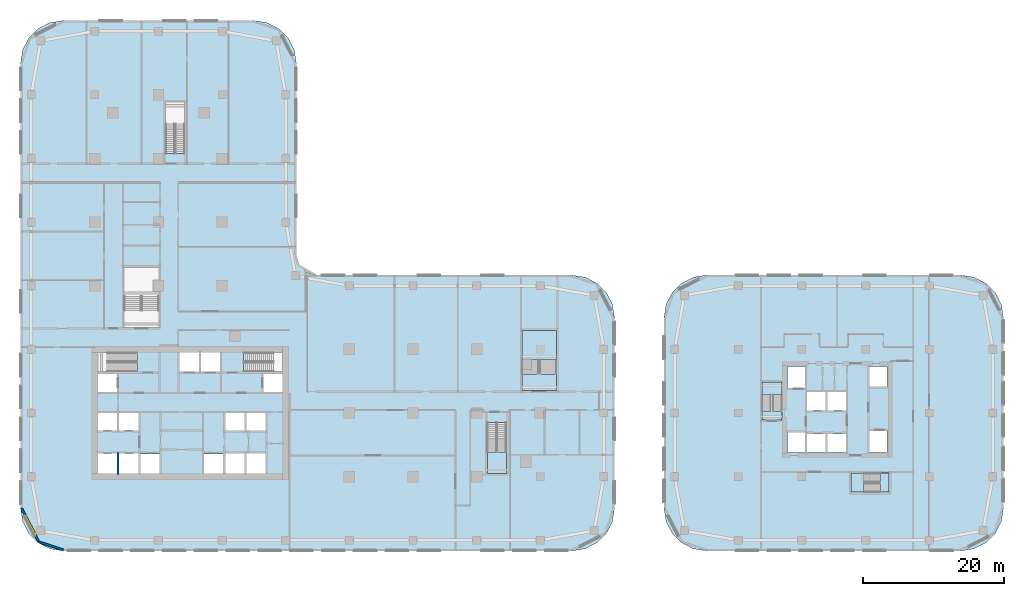
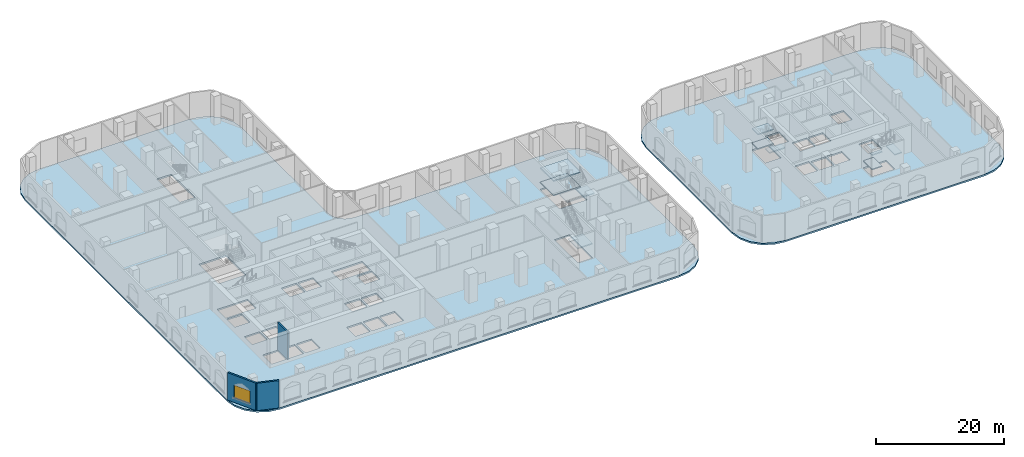
# One storey, part 2 of 31: 12 slabs, 3 walls, 1 window, 1 opening, 4 elements without a shape of their own.
"""IFC4 building model written with IfcOpenShell, lengths in metres."""

from ifc_helpers import new_model, si_unit, direction, frame, frame_2d, origin, place, context, subcontext, project, spatial, polyline, rectangle, outline, extrude, material, layer, layer_set, type_object, element, fill, aggregate, save


model = new_model("IFC4")

# Units and contexts
model_context = context("Model", 3, precision=1e-05, world=origin(), true_north=direction((0.0, 1.0)))
body_context = subcontext(model_context, "Body", "Model", "MODEL_VIEW")
ifc_project = project(units=[si_unit("LENGTHUNIT", "METRE"), si_unit("AREAUNIT", "SQUARE_METRE"), si_unit("VOLUMEUNIT", "CUBIC_METRE"), si_unit("PLANEANGLEUNIT", "RADIAN"), si_unit("MASSUNIT", "GRAM", prefix="KILO")], contexts=[model_context])

# Site, building, storey
site_placement = place(None, origin())
site = spatial("IfcSite", under=ifc_project, at=site_placement, CompositionType="ELEMENT")
building_placement = place(site_placement, origin())
building = spatial("IfcBuilding", under=site, at=building_placement, Name="Ogive Portal Towers", CompositionType="ELEMENT")
storey_placement = place(building_placement, frame((0.0, 0.0, 8.0)))
storey = spatial("IfcBuildingStorey", under=building, at=storey_placement, Name="L01", CompositionType="ELEMENT", Elevation=8.0)

# Stair, slab
ifc_material_1 = material(Name="Concrete C40/50", Category="concrete")
stair_type = type_object("IfcStairType", Name="INT-STAIR", PredefinedType="HALF_TURN_STAIR", material=ifc_material_1)
stair_1_placement = place(storey_placement, origin())
stair_1 = element("IfcStair", 1, at=stair_1_placement, inside=storey, type_object=stair_type, Name="L01 Exit Stair ST-A4", PredefinedType="HALF_TURN_STAIR")
ifc_layer_1 = layer(ifc_material_1, 0.199951171875)
ifc_layer_set_1 = layer_set([ifc_layer_1], Name="INT-LANDING")
slab_type_1 = type_object("IfcSlabType", Name="INT-LANDING", PredefinedType="LANDING", material=ifc_layer_set_1)
slab_1_placement = place(storey_placement, frame((0.0, 0.0, 2.550048828125)))
slab_1 = element("IfcSlab", 2, at=slab_1_placement, type_object=slab_type_1, Name="ST-A4 landing 1", PredefinedType="LANDING", context=body_context, shape_type="SweptSolid", body=[
    extrude(outline(polyline([(87.0, 24.969970703125), (87.0, 21.949951171875), (89.699951171875, 21.949951171875), (89.699951171875, 24.969970703125), (87.0, 24.969970703125)])), origin(), (0.0, 0.0, 1.0), 0.199951171875),
])
aggregate(stair_1, [slab_1])

# Stair, slabs
stair_2_placement = place(storey_placement, origin())
stair_2 = element("IfcStair", 3, at=stair_2_placement, inside=storey, type_object=stair_type, Name="L01 Exit Stair ST-B1", PredefinedType="HALF_TURN_STAIR")
slab_2_placement = place(storey_placement, frame((0.0, 0.0, 1.175048828125)))
slab_2 = element("IfcSlab", 4, at=slab_2_placement, type_object=slab_type_1, Name="ST-B1 landing 1", PredefinedType="LANDING", context=body_context, shape_type="SweptSolid", body=[
    extrude(outline(polyline([(128.699951171875, 33.0400390625), (128.699951171875, 34.89990234375), (125.85009765625, 34.89990234375), (125.85009765625, 33.0400390625), (128.699951171875, 33.0400390625)])), origin(), (0.0, 0.0, 1.0), 0.199951171875),
])
slab_3_placement = place(storey_placement, frame((0.0, 0.0, 2.550048828125)))
slab_3 = element("IfcSlab", 5, at=slab_3_placement, type_object=slab_type_1, Name="ST-B1 landing 2", PredefinedType="LANDING", context=body_context, shape_type="SweptSolid", body=[
    extrude(outline(polyline([(128.699951171875, 29.5), (128.699951171875, 30.800048828125), (125.85009765625, 30.800048828125), (125.85009765625, 29.5), (128.699951171875, 29.5)])), origin(), (0.0, 0.0, 1.0), 0.199951171875),
])
slab_4_placement = place(storey_placement, frame((0.0, 0.0, 3.925048828125)))
slab_4 = element("IfcSlab", 6, at=slab_4_placement, type_object=slab_type_1, Name="ST-B1 landing 3", PredefinedType="LANDING", context=body_context, shape_type="SweptSolid", body=[
    extrude(outline(polyline([(128.699951171875, 33.0400390625), (128.699951171875, 34.89990234375), (125.85009765625, 34.89990234375), (125.85009765625, 33.0400390625), (128.699951171875, 33.0400390625)])), origin(), (0.0, 0.0, 1.0), 0.199951171875),
])
aggregate(stair_2, [slab_2, slab_3, slab_4])

stair_3_placement = place(storey_placement, origin())
stair_3 = element("IfcStair", 7, at=stair_3_placement, inside=storey, type_object=stair_type, Name="L01 Exit Stair ST-B2", PredefinedType="HALF_TURN_STAIR")
slab_5_placement = place(storey_placement, frame((0.0, 0.0, 1.175048828125)))
slab_5 = element("IfcSlab", 8, at=slab_5_placement, type_object=slab_type_1, Name="ST-B2 landing 1", PredefinedType="LANDING", context=body_context, shape_type="SweptSolid", body=[
    extrude(outline(polyline([(140.31005859375, 22.0), (138.449951171875, 22.0), (138.449951171875, 19.300048828125), (140.31005859375, 19.300048828125), (140.31005859375, 22.0)])), origin(), (0.0, 0.0, 1.0), 0.199951171875),
])
slab_6_placement = place(storey_placement, frame((0.0, 0.0, 2.550048828125)))
slab_6 = element("IfcSlab", 9, at=slab_6_placement, type_object=slab_type_1, Name="ST-B2 landing 2", PredefinedType="LANDING", context=body_context, shape_type="SweptSolid", body=[
    extrude(outline(polyline([(143.85009765625, 22.0), (142.550048828125, 22.0), (142.550048828125, 19.300048828125), (143.85009765625, 19.300048828125), (143.85009765625, 22.0)])), origin(), (0.0, 0.0, 1.0), 0.199951171875),
])
slab_7_placement = place(storey_placement, frame((0.0, 0.0, 3.925048828125)))
slab_7 = element("IfcSlab", 10, at=slab_7_placement, type_object=slab_type_1, Name="ST-B2 landing 3", PredefinedType="LANDING", context=body_context, shape_type="SweptSolid", body=[
    extrude(outline(polyline([(140.31005859375, 22.0), (138.449951171875, 22.0), (138.449951171875, 19.300048828125), (140.31005859375, 19.300048828125), (140.31005859375, 22.0)])), origin(), (0.0, 0.0, 1.0), 0.199951171875),
])
aggregate(stair_3, [slab_5, slab_6, slab_7])

stair_4_placement = place(storey_placement, origin())
stair_4 = element("IfcStair", 11, at=stair_4_placement, inside=storey, type_object=stair_type, Name="L01 Exit Stair ST-P1", PredefinedType="HALF_TURN_STAIR")
slab_8_placement = place(storey_placement, frame((0.0, 0.0, 1.175048828125)))
slab_8 = element("IfcSlab", 12, at=slab_8_placement, type_object=slab_type_1, Name="ST-P1 landing 1", PredefinedType="LANDING", context=body_context, shape_type="SweptSolid", body=[
    extrude(outline(polyline([(96.800048828125, 38.010009765625), (96.800048828125, 42.14990234375), (91.89990234375, 42.14990234375), (91.89990234375, 38.010009765625), (96.800048828125, 38.010009765625)])), origin(), (0.0, 0.0, 1.0), 0.199951171875),
])
slab_9_placement = place(storey_placement, frame((0.0, 0.0, 2.550048828125)))
slab_9 = element("IfcSlab", 13, at=slab_9_placement, type_object=slab_type_1, Name="ST-P1 landing 2", PredefinedType="LANDING", context=body_context, shape_type="SweptSolid", body=[
    extrude(outline(polyline([(96.800048828125, 33.64990234375), (96.800048828125, 36.050048828125), (91.89990234375, 36.050048828125), (91.89990234375, 33.64990234375), (96.800048828125, 33.64990234375)])), origin(), (0.0, 0.0, 1.0), 0.199951171875),
])
slab_10_placement = place(storey_placement, frame((0.0, 0.0, 3.925048828125)))
slab_10 = element("IfcSlab", 14, at=slab_10_placement, type_object=slab_type_1, Name="ST-P1 landing 3", PredefinedType="LANDING", context=body_context, shape_type="SweptSolid", body=[
    extrude(outline(polyline([(96.800048828125, 38.010009765625), (96.800048828125, 42.14990234375), (91.89990234375, 42.14990234375), (91.89990234375, 38.010009765625), (96.800048828125, 38.010009765625)])), origin(), (0.0, 0.0, 1.0), 0.199951171875),
])
aggregate(stair_4, [slab_8, slab_9, slab_10])

# Slabs
ifc_material_2 = material(Name="Concrete C45/55", Category="concrete")
ifc_layer_2 = layer(ifc_material_2, 0.300048828125)
ifc_layer_set_2 = layer_set([ifc_layer_2], Name="PT FLAT PLATE 300")
slab_type_2 = type_object("IfcSlabType", Name="PT FLAT PLATE 300", PredefinedType="FLOOR", material=ifc_layer_set_2)
slab_11_placement = place(storey_placement, frame((0.0, 0.0, -0.300048828125)))
element("IfcSlab", 15, at=slab_11_placement, inside=storey, type_object=slab_type_2, Name="Floor slab L01", PredefinedType="FLOOR", context=body_context, shape_type="SweptSolid", body=[
    extrude(outline(polyline([(21.0, 80.0), (21.0, 17.0), (21.293701171875, 15.14599609375), (22.14599609375, 13.473388671875), (23.473388671875, 12.14599609375), (25.14599609375, 11.293701171875), (27.0, 11.0), (99.0, 11.0), (100.85400390625, 11.293701171875), (102.526611328125, 12.14599609375), (103.85400390625, 13.473388671875), (104.706298828125, 15.14599609375), (105.0, 17.0), (105.0, 44.0), (104.706298828125, 45.85400390625), (103.85400390625, 47.526611328125), (102.526611328125, 48.85400390625), (100.85400390625, 49.706298828125), (99.0, 50.0), (63.0, 50.0), (61.5, 50.40185546875), (60.40185546875, 51.5), (60.0, 53.0), (60.0, 80.0), (59.706298828125, 81.85400390625), (58.85400390625, 83.526611328125), (57.526611328125, 84.85400390625), (55.85400390625, 85.706298828125), (54.0, 86.0), (27.0, 86.0), (25.14599609375, 85.706298828125), (23.473388671875, 84.85400390625), (22.14599609375, 83.526611328125), (21.293701171875, 81.85400390625), (21.0, 80.0)]), holes=[polyline([(34.64990234375, 24.75), (34.64990234375, 21.949951171875), (31.949951171875, 21.949951171875), (31.949951171875, 24.75), (34.64990234375, 24.75)]), polyline([(37.64990234375, 24.75), (37.64990234375, 21.949951171875), (34.949951171875, 21.949951171875), (34.949951171875, 24.75), (37.64990234375, 24.75)]), polyline([(40.6298828125, 21.969970703125), (37.969970703125, 21.969970703125), (37.969970703125, 24.72998046875), (40.6298828125, 24.72998046875), (40.6298828125, 21.969970703125)]), polyline([(34.64990234375, 28.050048828125), (31.949951171875, 28.050048828125), (31.949951171875, 30.5), (34.64990234375, 30.5), (34.64990234375, 28.050048828125)]), polyline([(37.64990234375, 28.050048828125), (34.949951171875, 28.050048828125), (34.949951171875, 30.5), (37.64990234375, 30.5), (37.64990234375, 28.050048828125)]), polyline([(34.64990234375, 36.050048828125), (34.64990234375, 33.5), (31.949951171875, 33.5), (31.949951171875, 36.050048828125), (34.64990234375, 36.050048828125)]), polyline([(37.447998046875, 39.048095703125), (37.447998046875, 36.35205078125), (31.951904296875, 36.35205078125), (31.951904296875, 39.048095703125), (37.447998046875, 39.048095703125)]), polyline([(46.199951171875, 36.35009765625), (43.5, 36.35009765625), (43.5, 39.050048828125), (46.199951171875, 39.050048828125), (46.199951171875, 36.35009765625)]), polyline([(49.199951171875, 39.050048828125), (49.199951171875, 36.35009765625), (46.5, 36.35009765625), (46.5, 39.050048828125), (49.199951171875, 39.050048828125)]), polyline([(40.548095703125, 45.001953125), (35.652099609375, 45.001953125), (35.652099609375, 51.097900390625), (40.548095703125, 51.097900390625), (40.548095703125, 45.001953125)]), polyline([(44.197998046875, 67.201904296875), (41.501953125, 67.201904296875), (41.501953125, 74.447998046875), (44.197998046875, 74.447998046875), (44.197998046875, 67.201904296875)]), polyline([(49.6298828125, 21.969970703125), (46.969970703125, 21.969970703125), (46.969970703125, 24.72998046875), (49.6298828125, 24.72998046875), (49.6298828125, 21.969970703125)]), polyline([(52.64990234375, 24.75), (52.64990234375, 21.949951171875), (49.949951171875, 21.949951171875), (49.949951171875, 24.75), (52.64990234375, 24.75)]), polyline([(55.64990234375, 21.949951171875), (52.949951171875, 21.949951171875), (52.949951171875, 24.75), (55.64990234375, 24.75), (55.64990234375, 21.949951171875)]), polyline([(87.001953125, 29.16796875), (89.697998046875, 29.16796875), (89.697998046875, 21.951904296875), (87.001953125, 21.951904296875), (87.001953125, 29.16796875)]), polyline([(52.64990234375, 30.5), (52.64990234375, 28.050048828125), (49.949951171875, 28.050048828125), (49.949951171875, 30.5), (52.64990234375, 30.5)]), polyline([(55.64990234375, 28.050048828125), (52.949951171875, 28.050048828125), (52.949951171875, 30.5), (55.64990234375, 30.5), (55.64990234375, 28.050048828125)]), polyline([(58.050048828125, 36.050048828125), (58.050048828125, 33.5), (55.35009765625, 33.5), (55.35009765625, 36.050048828125), (58.050048828125, 36.050048828125)]), polyline([(52.552001953125, 36.35205078125), (52.552001953125, 39.048095703125), (58.048095703125, 39.048095703125), (58.048095703125, 36.35205078125), (52.552001953125, 36.35205078125)]), polyline([(96.798095703125, 36.052001953125), (91.902099609375, 36.052001953125), (91.902099609375, 42.14794921875), (96.798095703125, 42.14794921875), (96.798095703125, 36.052001953125)])]), origin(), (0.0, 0.0, 1.0), 0.300048828125),
])
slab_12_placement = place(storey_placement, frame((0.0, 0.0, -0.300048828125)))
element("IfcSlab", 16, at=slab_12_placement, inside=storey, type_object=slab_type_2, Name="Floor slab L01", PredefinedType="FLOOR", context=body_context, shape_type="SweptSolid", body=[
    extrude(outline(polyline([(112.0, 44.0), (112.0, 17.0), (112.293701171875, 15.14599609375), (113.14599609375, 13.473388671875), (114.473388671875, 12.14599609375), (116.14599609375, 11.293701171875), (118.0, 11.0), (154.0, 11.0), (155.85400390625, 11.293701171875), (157.526611328125, 12.14599609375), (158.85400390625, 13.473388671875), (159.706298828125, 15.14599609375), (160.0, 17.0), (160.0, 44.0), (159.706298828125, 45.85400390625), (158.85400390625, 47.526611328125), (157.526611328125, 48.85400390625), (155.85400390625, 49.706298828125), (154.0, 50.0), (118.0, 50.0), (116.14599609375, 49.706298828125), (114.473388671875, 48.85400390625), (113.14599609375, 47.526611328125), (112.293701171875, 45.85400390625), (112.0, 44.0)]), holes=[polyline([(128.697998046875, 34.89794921875), (128.697998046875, 30.802001953125), (125.85205078125, 30.802001953125), (125.85205078125, 34.89794921875), (128.697998046875, 34.89794921875)]), polyline([(131.949951171875, 37.050048828125), (131.949951171875, 34.050048828125), (129.449951171875, 34.050048828125), (129.449951171875, 37.050048828125), (131.949951171875, 37.050048828125)]), polyline([(138.451904296875, 21.998046875), (142.548095703125, 21.998046875), (142.548095703125, 19.302001953125), (138.451904296875, 19.302001953125), (138.451904296875, 21.998046875)]), polyline([(134.85009765625, 27.550048828125), (134.85009765625, 24.949951171875), (132.25, 24.949951171875), (132.25, 27.550048828125), (134.85009765625, 27.550048828125)]), polyline([(137.75, 27.550048828125), (137.75, 24.949951171875), (135.14990234375, 24.949951171875), (135.14990234375, 27.550048828125), (137.75, 27.550048828125)]), polyline([(131.949951171875, 27.75), (131.949951171875, 24.949951171875), (129.449951171875, 24.949951171875), (129.449951171875, 27.75), (131.949951171875, 27.75)]), polyline([(143.550048828125, 27.949951171875), (143.550048828125, 24.949951171875), (141.050048828125, 24.949951171875), (141.050048828125, 27.949951171875), (143.550048828125, 27.949951171875)]), polyline([(134.85009765625, 33.449951171875), (134.85009765625, 30.85009765625), (132.25, 30.85009765625), (132.25, 33.449951171875), (134.85009765625, 33.449951171875)]), polyline([(137.75, 33.449951171875), (137.75, 30.85009765625), (135.14990234375, 30.85009765625), (135.14990234375, 33.449951171875), (137.75, 33.449951171875)]), polyline([(143.550048828125, 37.050048828125), (143.550048828125, 34.25), (141.050048828125, 34.25), (141.050048828125, 37.050048828125), (143.550048828125, 37.050048828125)])]), origin(), (0.0, 0.0, 1.0), 0.300048828125),
])

# Wall, opening, window
ifc_material_3 = material(Name="Limestone cladding on lightweight block wall", Category="masonry")
ifc_layer_3 = layer(ifc_material_3, 0.300048828125)
ifc_layer_set_3 = layer_set([ifc_layer_3], Name="EXTERNAL WALL 300 STONE")
wall_type_1 = type_object("IfcWallType", Name="EXTERNAL WALL 300 STONE", PredefinedType="SOLIDWALL", material=ifc_layer_set_3)
wall_1_placement = place(storey_placement, frame((21.166259765625, 17.00390625, 0.0), z_axis=(0.0, 0.0, 1.0), x_axis=(0.454006562826, -0.890998339455, 0.0)))
wall_1 = element("IfcWall", 17, at=wall_1_placement, inside=storey, type_object=wall_type_1, Name="A:L01:f00:w0", PredefinedType="SOLIDWALL", context=body_context, shape_type="SweptSolid", body=[
    extrude(rectangle(XDim=5.251708984375, YDim=0.300048828125, at=frame_2d((2.6259765625, 0.0))), origin(), (0.0, 0.0, 1.0), 5.199951171875),
])
opening_placement = place(wall_1_placement, frame((1.223876953125, 0.0, 0.89990234375)))
opening = element("IfcOpeningElement", 18, at=opening_placement, cuts=wall_1, Name="Opening WN3", PredefinedType="OPENING", context=body_context, shape_type="SweptSolid", body=[
    extrude(rectangle(XDim=3.0, YDim=2.39990234375, at=frame_2d((1.5, 1.199951171875))), frame((0.0, 0.16015625, 0.0), z_axis=(0.0, -1.0, 0.0), x_axis=(1.0, 0.0, 0.0)), (0.0, 0.0, 1.0), 0.320068359375),
])
ifc_material_4 = material(Name="Glass, clear low-iron insulated glazing", Category="glass")
window_type = type_object("IfcWindowType", Name="WINDOW PODIUM 3000x2400", PartitioningType="SINGLE_PANEL", PredefinedType="WINDOW", material=ifc_material_4)
window_placement = place(opening_placement, origin())
window = element("IfcWindow", 19, at=window_placement, inside=storey, type_object=window_type, Name="A:L01:f00:w0:o0", OverallHeight=2.39990234375, OverallWidth=3.0, PartitioningType="SINGLE_PANEL", PredefinedType="WINDOW", context=body_context, shape_type="SweptSolid", body=[
    extrude(rectangle(XDim=3.0, YDim=2.39990234375, at=frame_2d((1.5, 1.199951171875))), frame((0.0, 0.030029296875, 0.0), z_axis=(0.0, -1.0, 0.0), x_axis=(1.0, 0.0, 0.0)), (0.0, 0.0, 1.0), 0.06005859375),
])
fill(opening, window)

# Walls
wall_2_placement = place(storey_placement, frame((23.637939453125, 12.250244140625, 0.0), z_axis=(0.0, 0.0, 1.0), x_axis=(0.951038127287, -0.309073584194, 0.0)))
element("IfcWall", 20, at=wall_2_placement, inside=storey, type_object=wall_type_1, Name="A:L01:f01:w0", PredefinedType="SOLIDWALL", context=body_context, shape_type="SweptSolid", body=[
    extrude(rectangle(XDim=3.536376953125, YDim=0.300048828125, at=frame_2d((1.76806640625, 0.0))), origin(), (0.0, 0.0, 1.0), 5.199951171875),
])
ifc_layer_4 = layer(ifc_material_1, 0.300048828125)
ifc_layer_set_4 = layer_set([ifc_layer_4], Name="WT-SHAFT-300")
wall_type_2 = type_object("IfcWallType", Name="WT-SHAFT-300", PredefinedType="SOLIDWALL", material=ifc_layer_set_4)
wall_3_placement = place(storey_placement, frame((34.800048828125, 21.800048828125, 0.0), z_axis=(0.0, 0.0, 1.0), x_axis=(0.0, 1.0, 0.0)))
element("IfcWall", 21, at=wall_3_placement, inside=storey, type_object=wall_type_2, Name="Wall pw:011:L01", PredefinedType="SOLIDWALL", context=body_context, shape_type="SweptSolid", body=[
    extrude(rectangle(XDim=3.099853515625, YDim=0.300048828125, at=frame_2d((1.5498046875, 0.0))), origin(), (0.0, 0.0, 1.0), 5.199951171875),
])

save(model, "model.ifc")
